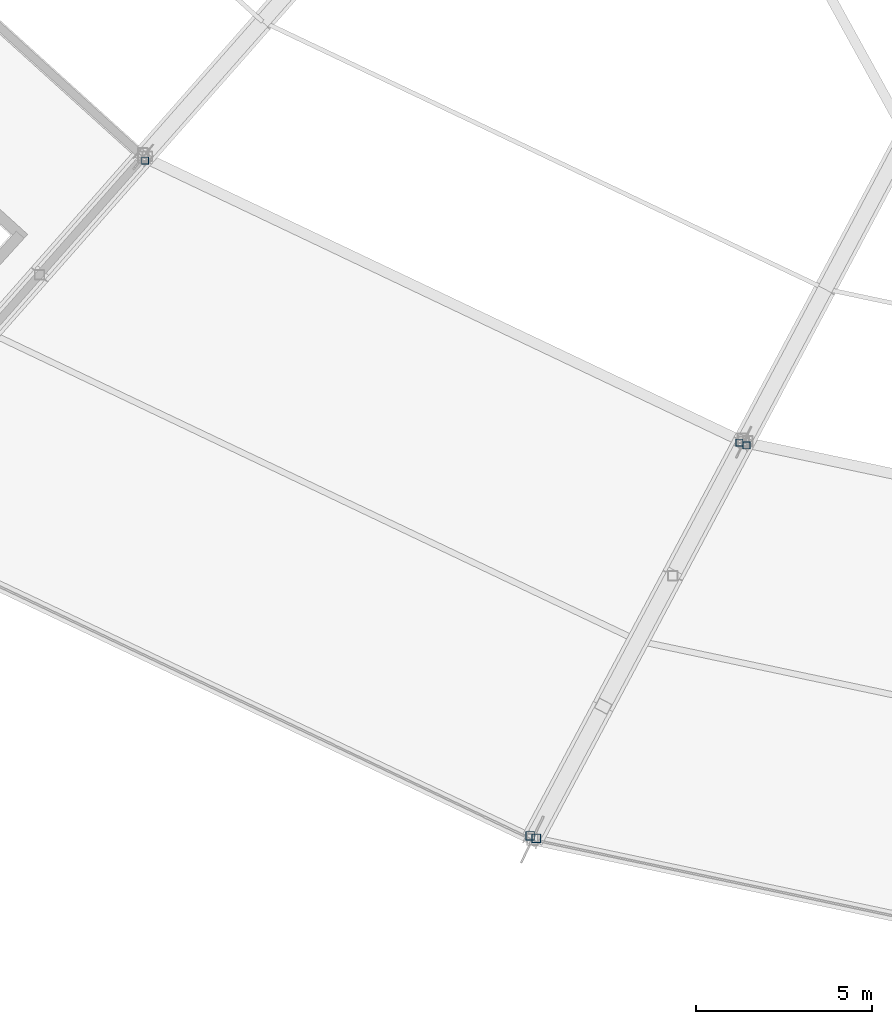
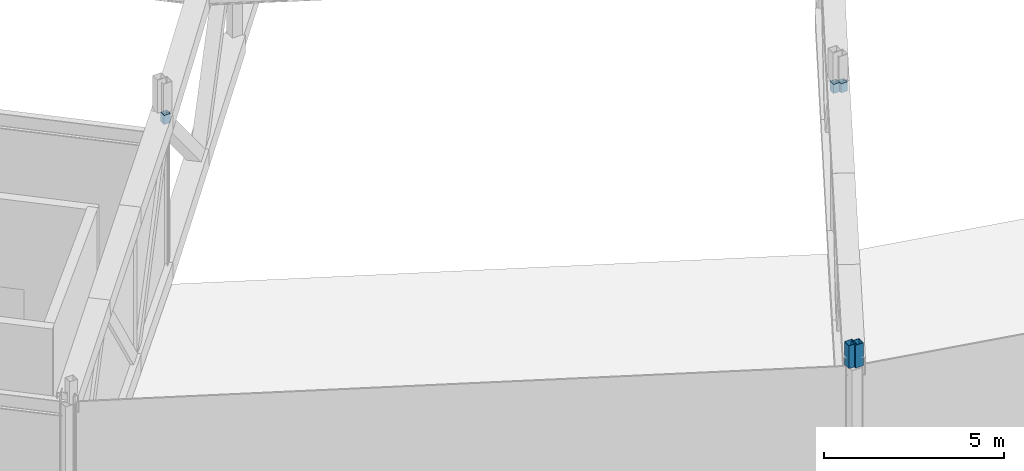
# One storey, part 92 of 162: 5 members.
"""IFC4 building model written with IfcOpenShell, lengths in metres."""

from ifc_helpers import new_model, si_unit, direction, frame, origin, origin_2d, place, context, subcontext, project, spatial, hollow_rectangle, extrude, material, material_profile, profile_set, type_object, element, save


model = new_model("IFC4")

# Units and contexts
model_context = context("Model", 3, precision=1e-05, world=origin(), true_north=direction((0.0, 1.0)))
body_context = subcontext(model_context, "Body", "Model", "MODEL_VIEW")
ifc_project = project(units=[si_unit("LENGTHUNIT", "METRE"), si_unit("AREAUNIT", "SQUARE_METRE"), si_unit("VOLUMEUNIT", "CUBIC_METRE"), si_unit("PLANEANGLEUNIT", "RADIAN"), si_unit("MASSUNIT", "GRAM", prefix="KILO")], contexts=[model_context])

# Site, building, storey
site_placement = place(None, origin())
site = spatial("IfcSite", under=ifc_project, at=site_placement, CompositionType="ELEMENT")
building_placement = place(site_placement, origin())
building = spatial("IfcBuilding", under=site, at=building_placement, Name="Kazemori Nagisa Stadium", CompositionType="ELEMENT")
storey_placement = place(building_placement, frame((0.0, 0.0, 36.719970703125)))
storey = spatial("IfcBuildingStorey", under=building, at=storey_placement, Name="RF", CompositionType="ELEMENT", Elevation=36.719970703125)

# Members
ifc_material = material(Name="Steel STKR490", Category="steel")
ifc_material_profile_1 = material_profile(ifc_material, hollow_rectangle(XDim=0.25, YDim=0.25, WallThickness=0.011962890625, at=origin_2d()), Name="SHS-250x250x12")
ifc_profile_set_1 = profile_set([ifc_material_profile_1], Name="Steel STKR490")
member_type_1 = type_object("IfcMemberType", Name="Member_ST-SHS250", PredefinedType="STUD", material=ifc_profile_set_1)
for number, where, z_axis, x_axis, name in (
    (1, (80.132080078125, 21.6376953125, 5.10009765625), (0.0, 0.0, 1.0), (1.0, 0.0, 0.0), "Canopy bearing stool B19-outer-2"),
    (2, (80.31103515625, 21.5673828125, 5.10009765625), (0.0, 0.0, 1.0), (1.0, 0.0, 0.0), "Canopy bearing stool B20-outer-1"),
):
    element("IfcMember", number, at=place(storey_placement, frame(where, z_axis=z_axis, x_axis=x_axis)), inside=storey, type_object=member_type_1, Name=name, PredefinedType="STUD", context=body_context, shape_type="SweptSolid", body=[
        extrude(hollow_rectangle(XDim=0.25, YDim=0.25, WallThickness=0.011962890625, at=origin_2d()), origin(), (0.0, 0.0, 1.0), 0.77490234375),
    ])
ifc_material_profile_2 = material_profile(ifc_material, hollow_rectangle(XDim=0.199951171875, YDim=0.199951171875, WallThickness=0.009033203125, at=origin_2d()), Name="SHS-200x200x9")
ifc_profile_set_2 = profile_set([ifc_material_profile_2], Name="Steel STKR490")
member_type_2 = type_object("IfcMemberType", Name="Member_TS-SHS200", PredefinedType="STRUT", material=ifc_profile_set_2)
for number, where, z_axis, x_axis, name in (
    (3, (86.068603515625, 32.788330078125, 5.56005859375), (0.0, 0.0, 1.0), (1.0, 0.0, 0.0), "Canopy bearing stool B19-outer-3"),
    (4, (69.220703125, 40.78271484375, 5.56005859375), (0.0, 0.0, 1.0), (1.0, 0.0, 0.0), "Canopy bearing stool B19-outer-4"),
    (5, (86.26806640625, 32.71142578125, 5.56005859375), (0.0, 0.0, 1.0), (1.0, 0.0, 0.0), "Canopy bearing stool B20-outer-4"),
):
    element("IfcMember", number, at=place(storey_placement, frame(where, z_axis=z_axis, x_axis=x_axis)), inside=storey, type_object=member_type_2, Name=name, PredefinedType="STRUT", context=body_context, shape_type="SweptSolid", body=[
        extrude(hollow_rectangle(XDim=0.199951171875, YDim=0.199951171875, WallThickness=0.009033203125, at=origin_2d()), origin(), (0.0, 0.0, 1.0), 0.31494140625),
    ])

save(model, "model.ifc")
